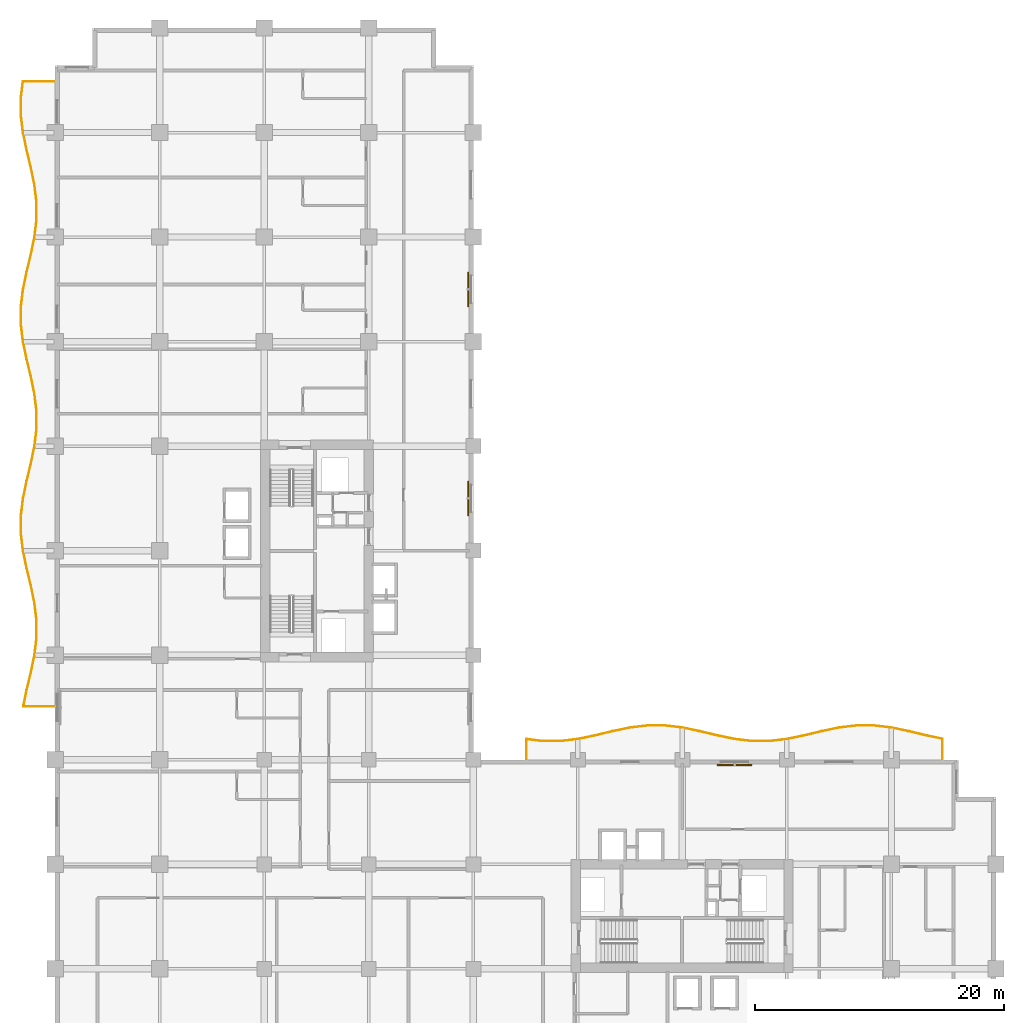
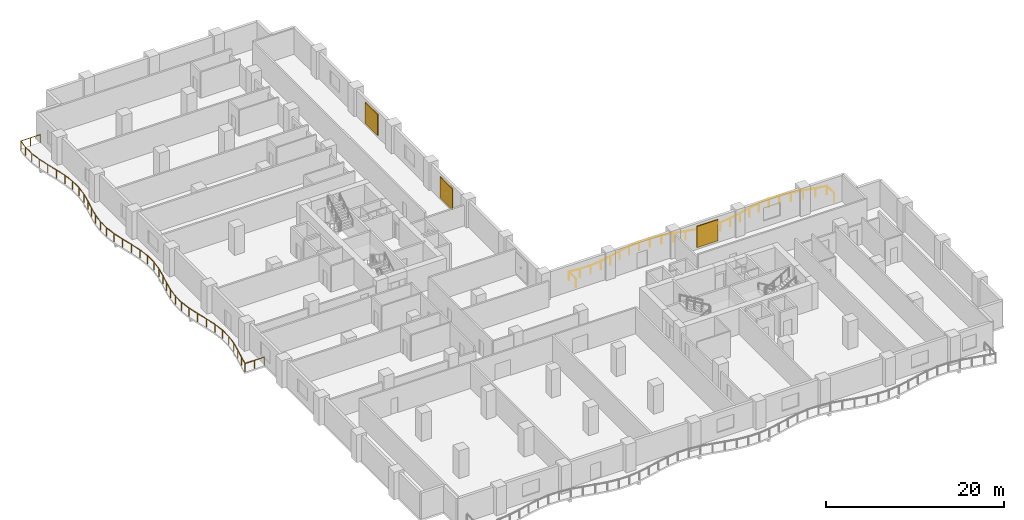
# One storey, part 18 of 18: 3 shading devices, 2 railings.
"""IFC4 building model written with IfcOpenShell, lengths in metres."""

from ifc_helpers import new_model, si_unit, direction, frame, origin, origin_2d, place, context, subcontext, project, spatial, rectangle, circle, extrude, material, layer, layer_set, type_object, element, save


model = new_model("IFC4")

# Units and contexts
model_context = context("Model", 3, precision=1e-05, world=origin(), true_north=direction((0.0, 1.0)))
body_context = subcontext(model_context, "Body", "Model", "MODEL_VIEW")
ifc_project = project(units=[si_unit("LENGTHUNIT", "METRE"), si_unit("AREAUNIT", "SQUARE_METRE"), si_unit("VOLUMEUNIT", "CUBIC_METRE"), si_unit("PLANEANGLEUNIT", "RADIAN"), si_unit("MASSUNIT", "GRAM", prefix="KILO")], contexts=[model_context])

# Site, building, storey
site_placement = place(None, origin())
site = spatial("IfcSite", under=ifc_project, at=site_placement, CompositionType="ELEMENT")
building_placement = place(site_placement, origin())
building = spatial("IfcBuilding", under=site, at=building_placement, Name="Koriwani Terraces Tower", CompositionType="ELEMENT")
storey_placement = place(building_placement, frame((0.0, 0.0, 145.60009765625)))
storey = spatial("IfcBuildingStorey", under=building, at=storey_placement, Name="L35", CompositionType="ELEMENT", Elevation=145.60009765625)

# Railings
ifc_material_1 = material(Name="Steel ASTM A572 Grade 50", Category="steel")
railing_type = type_object("IfcRailingType", Name="GUARD_BALUSTRADE_1150", PredefinedType="BALUSTRADE", material=ifc_material_1)
railing_1_placement = place(storey_placement, frame((-0.080078125, 37.8798828125, 0.0)))
element("IfcRailing", 1, at=railing_1_placement, inside=storey, type_object=railing_type, Name="L35 Balcony Perimeter Safety Balustrade (W)", PredefinedType="BALUSTRADE", context=body_context, shape_type="SweptSolid", body=[
    extrude(circle(Radius=0.02392578125, at=origin_2d()), frame((0.0, 0.0, 1.1259765625), z_axis=(-1.0, 0.0, 0.0), x_axis=(0.0, -1.0, 0.0)), (0.0, 0.0, 1.0), 2.481201171875),
    extrude(circle(Radius=0.02392578125, at=origin_2d()), frame((-2.481201171875, 0.0, 1.1259765625), z_axis=(0.203837026158, 0.979004834905, 0.0), x_axis=(-0.979004834905, 0.203837026158, 0.0)), (0.0, 0.0, 1.0), 1.33056640625),
    extrude(circle(Radius=0.02392578125, at=origin_2d()), frame((-2.2099609375, 1.302734375, 1.1259765625), z_axis=(0.233667958249, 0.972316453264, 0.0), x_axis=(-0.972316453264, 0.233667958249, 0.0)), (0.0, 0.0, 1.0), 1.439697265625),
    extrude(circle(Radius=0.02392578125, at=origin_2d()), frame((-1.87353515625, 2.70263671875, 1.1259765625), z_axis=(0.203539678581, 0.979066698056, 0.0), x_axis=(-0.979066698056, 0.203539678581, 0.0)), (0.0, 0.0, 1.0), 1.4345703125),
    extrude(circle(Radius=0.02392578125, at=origin_2d()), frame((-1.58154296875, 4.107177734375, 1.1259765625), z_axis=(0.119287758056, 0.992859723616, 0.0), x_axis=(-0.992859723616, 0.119287758056, 0.0)), (0.0, 0.0, 1.0), 1.418212890625),
    extrude(circle(Radius=0.02392578125, at=origin_2d()), frame((-1.412353515625, 5.515380859375, 1.1259765625), z_axis=(0.0, 1.0, 0.0), x_axis=(-1.0, 0.0, 0.0)), (0.0, 0.0, 1.0), 1.409423828125),
    extrude(circle(Radius=0.02392578125, at=origin_2d()), frame((-1.412353515625, 6.9248046875, 1.1259765625), z_axis=(-0.119287758056, 0.992859723616, 0.0), x_axis=(-0.992859723616, -0.119287758056, 0.0)), (0.0, 0.0, 1.0), 1.418212890625),
    extrude(circle(Radius=0.02392578125, at=origin_2d()), frame((-1.58154296875, 8.3330078125, 1.1259765625), z_axis=(-0.203539678581, 0.979066698056, 0.0), x_axis=(-0.979066698056, -0.203539678581, 0.0)), (0.0, 0.0, 1.0), 1.4345703125),
    extrude(circle(Radius=0.02392578125, at=origin_2d()), frame((-1.87353515625, 9.737548828125, 1.1259765625), z_axis=(-0.233629438166, 0.972325709638, 0.0), x_axis=(-0.972325709638, -0.233629438166, 0.0)), (0.0, 0.0, 1.0), 1.43994140625),
    extrude(circle(Radius=0.02392578125, at=origin_2d()), frame((-2.2099609375, 11.1376953125, 1.1259765625), z_axis=(-0.20385164167, 0.979001791719, 0.0), x_axis=(-0.979001791719, -0.20385164167, 0.0)), (0.0, 0.0, 1.0), 1.42529296875),
    extrude(circle(Radius=0.02392578125, at=origin_2d()), frame((-2.50048828125, 12.532958984375, 1.1259765625), z_axis=(-0.119296300234, 0.992858697273, 0.0), x_axis=(-0.992858697273, -0.119296300234, 0.0)), (0.0, 0.0, 1.0), 1.40185546875),
    extrude(circle(Radius=0.02392578125, at=origin_2d()), frame((-2.667724609375, 13.9248046875, 1.1259765625), z_axis=(0.0, 1.0, 0.0), x_axis=(-1.0, 0.0, 0.0)), (0.0, 0.0, 1.0), 1.390625),
    extrude(circle(Radius=0.02392578125, at=origin_2d()), frame((-2.667724609375, 15.3154296875, 1.1259765625), z_axis=(0.119296300234, 0.992858697273, 0.0), x_axis=(-0.992858697273, 0.119296300234, 0.0)), (0.0, 0.0, 1.0), 1.40185546875),
    extrude(circle(Radius=0.02392578125, at=origin_2d()), frame((-2.50048828125, 16.707275390625, 1.1259765625), z_axis=(0.20385164167, 0.979001791719, 0.0), x_axis=(-0.979001791719, 0.20385164167, 0.0)), (0.0, 0.0, 1.0), 1.42529296875),
    extrude(circle(Radius=0.02392578125, at=origin_2d()), frame((-2.2099609375, 18.1025390625, 1.1259765625), z_axis=(0.233629438166, 0.972325709638, 0.0), x_axis=(-0.972325709638, 0.233629438166, 0.0)), (0.0, 0.0, 1.0), 1.43994140625),
    extrude(circle(Radius=0.02392578125, at=origin_2d()), frame((-1.87353515625, 19.502685546875, 1.1259765625), z_axis=(0.203539678581, 0.979066698056, 0.0), x_axis=(-0.979066698056, 0.203539678581, 0.0)), (0.0, 0.0, 1.0), 1.4345703125),
    extrude(circle(Radius=0.02392578125, at=origin_2d()), frame((-1.58154296875, 20.9072265625, 1.1259765625), z_axis=(0.119287758056, 0.992859723616, 0.0), x_axis=(-0.992859723616, 0.119287758056, 0.0)), (0.0, 0.0, 1.0), 1.418212890625),
    extrude(circle(Radius=0.02392578125, at=origin_2d()), frame((-1.412353515625, 22.3154296875, 1.1259765625), z_axis=(0.0, 1.0, 0.0), x_axis=(-1.0, 0.0, 0.0)), (0.0, 0.0, 1.0), 1.409423828125),
    extrude(circle(Radius=0.02392578125, at=origin_2d()), frame((-1.412353515625, 23.724853515625, 1.1259765625), z_axis=(-0.119287758056, 0.992859723616, 0.0), x_axis=(-0.992859723616, -0.119287758056, 0.0)), (0.0, 0.0, 1.0), 1.418212890625),
    extrude(circle(Radius=0.02392578125, at=origin_2d()), frame((-1.58154296875, 25.133056640625, 1.1259765625), z_axis=(-0.203539678581, 0.979066698056, 0.0), x_axis=(-0.979066698056, -0.203539678581, 0.0)), (0.0, 0.0, 1.0), 1.4345703125),
    extrude(circle(Radius=0.02392578125, at=origin_2d()), frame((-1.87353515625, 26.53759765625, 1.1259765625), z_axis=(-0.233667958249, 0.972316453264, 0.0), x_axis=(-0.972316453264, -0.233667958249, 0.0)), (0.0, 0.0, 1.0), 1.439697265625),
    extrude(circle(Radius=0.02392578125, at=origin_2d()), frame((-2.2099609375, 27.9375, 1.1259765625), z_axis=(-0.203817459967, 0.979008908546, 0.0), x_axis=(-0.979008908546, -0.203817459967, 0.0)), (0.0, 0.0, 1.0), 1.425537109375),
    extrude(circle(Radius=0.02392578125, at=origin_2d()), frame((-2.50048828125, 29.3330078125, 1.1259765625), z_axis=(-0.119296300234, 0.992858697273, 0.0), x_axis=(-0.992858697273, -0.119296300234, 0.0)), (0.0, 0.0, 1.0), 1.40185546875),
    extrude(circle(Radius=0.02392578125, at=origin_2d()), frame((-2.667724609375, 30.724853515625, 1.1259765625), z_axis=(0.0, 1.0, 0.0), x_axis=(-1.0, 0.0, 0.0)), (0.0, 0.0, 1.0), 1.390380859375),
    extrude(circle(Radius=0.02392578125, at=origin_2d()), frame((-2.667724609375, 32.115234375, 1.1259765625), z_axis=(0.119275676073, 0.992861175138, 0.0), x_axis=(-0.992861175138, 0.119275676073, 0.0)), (0.0, 0.0, 1.0), 1.402099609375),
    extrude(circle(Radius=0.02392578125, at=origin_2d()), frame((-2.50048828125, 33.50732421875, 1.1259765625), z_axis=(0.20385164167, 0.979001791719, 0.0), x_axis=(-0.979001791719, 0.20385164167, 0.0)), (0.0, 0.0, 1.0), 1.42529296875),
    extrude(circle(Radius=0.02392578125, at=origin_2d()), frame((-2.2099609375, 34.902587890625, 1.1259765625), z_axis=(0.233629438166, 0.972325709638, 0.0), x_axis=(-0.972325709638, 0.233629438166, 0.0)), (0.0, 0.0, 1.0), 1.43994140625),
    extrude(circle(Radius=0.02392578125, at=origin_2d()), frame((-1.87353515625, 36.302734375, 1.1259765625), z_axis=(0.203539678581, 0.979066698056, 0.0), x_axis=(-0.979066698056, 0.203539678581, 0.0)), (0.0, 0.0, 1.0), 1.4345703125),
    extrude(circle(Radius=0.02392578125, at=origin_2d()), frame((-1.58154296875, 37.707275390625, 1.1259765625), z_axis=(0.119308148191, 0.992857273618, 0.0), x_axis=(-0.992857273618, 0.119308148191, 0.0)), (0.0, 0.0, 1.0), 1.41796875),
    extrude(circle(Radius=0.02392578125, at=origin_2d()), frame((-1.412353515625, 39.115234375, 1.1259765625), z_axis=(0.0, 1.0, 0.0), x_axis=(-1.0, 0.0, 0.0)), (0.0, 0.0, 1.0), 1.40966796875),
    extrude(circle(Radius=0.02392578125, at=origin_2d()), frame((-1.412353515625, 40.52490234375, 1.1259765625), z_axis=(-0.119287758056, 0.992859723616, 0.0), x_axis=(-0.992859723616, -0.119287758056, 0.0)), (0.0, 0.0, 1.0), 1.418212890625),
    extrude(circle(Radius=0.02392578125, at=origin_2d()), frame((-1.58154296875, 41.93310546875, 1.1259765625), z_axis=(-0.203539678581, 0.979066698056, 0.0), x_axis=(-0.979066698056, -0.203539678581, 0.0)), (0.0, 0.0, 1.0), 1.4345703125),
    extrude(circle(Radius=0.02392578125, at=origin_2d()), frame((-1.87353515625, 43.337646484375, 1.1259765625), z_axis=(-0.233667958249, 0.972316453264, 0.0), x_axis=(-0.972316453264, -0.233667958249, 0.0)), (0.0, 0.0, 1.0), 1.439697265625),
    extrude(circle(Radius=0.02392578125, at=origin_2d()), frame((-2.2099609375, 44.737548828125, 1.1259765625), z_axis=(-0.203817459967, 0.979008908546, 0.0), x_axis=(-0.979008908546, -0.203817459967, 0.0)), (0.0, 0.0, 1.0), 1.425537109375),
    extrude(circle(Radius=0.02392578125, at=origin_2d()), frame((-2.50048828125, 46.133056640625, 1.1259765625), z_axis=(-0.119296300234, 0.992858697273, 0.0), x_axis=(-0.992858697273, -0.119296300234, 0.0)), (0.0, 0.0, 1.0), 1.40185546875),
    extrude(circle(Radius=0.02392578125, at=origin_2d()), frame((-2.667724609375, 47.52490234375, 1.1259765625), z_axis=(0.0, 1.0, 0.0), x_axis=(-1.0, 0.0, 0.0)), (0.0, 0.0, 1.0), 1.390380859375),
    extrude(circle(Radius=0.02392578125, at=origin_2d()), frame((-2.667724609375, 48.915283203125, 1.1259765625), z_axis=(0.119282286421, 0.992860380993, 0.0), x_axis=(-0.992860380993, 0.119282286421, 0.0)), (0.0, 0.0, 1.0), 1.33447265625),
    extrude(circle(Radius=0.02392578125, at=origin_2d()), frame((-2.508544921875, 50.240234375, 1.1259765625), z_axis=(1.0, 0.0, 0.0), x_axis=(0.0, 1.0, 0.0)), (0.0, 0.0, 1.0), 2.508544921875),
    extrude(circle(Radius=0.02099609375, at=origin_2d()), origin(), (0.0, 0.0, 1.0), 1.101806640625),
    extrude(circle(Radius=0.02099609375, at=origin_2d()), frame((-1.24072265625, 0.0, 0.0)), (0.0, 0.0, 1.0), 1.101806640625),
    extrude(circle(Radius=0.02099609375, at=origin_2d()), frame((-2.481201171875, 0.0, 0.0)), (0.0, 0.0, 1.0), 1.101806640625),
    extrude(circle(Radius=0.02099609375, at=origin_2d()), frame((-2.2099609375, 1.302734375, 0.0)), (0.0, 0.0, 1.0), 1.101806640625),
    extrude(circle(Radius=0.02099609375, at=origin_2d()), frame((-1.87353515625, 2.70263671875, 0.0)), (0.0, 0.0, 1.0), 1.101806640625),
    extrude(circle(Radius=0.02099609375, at=origin_2d()), frame((-1.58154296875, 4.107177734375, 0.0)), (0.0, 0.0, 1.0), 1.101806640625),
    extrude(circle(Radius=0.02099609375, at=origin_2d()), frame((-1.412353515625, 5.515380859375, 0.0)), (0.0, 0.0, 1.0), 1.101806640625),
    extrude(circle(Radius=0.02099609375, at=origin_2d()), frame((-1.412353515625, 6.9248046875, 0.0)), (0.0, 0.0, 1.0), 1.101806640625),
    extrude(circle(Radius=0.02099609375, at=origin_2d()), frame((-1.58154296875, 8.3330078125, 0.0)), (0.0, 0.0, 1.0), 1.101806640625),
    extrude(circle(Radius=0.02099609375, at=origin_2d()), frame((-1.87353515625, 9.737548828125, 0.0)), (0.0, 0.0, 1.0), 1.101806640625),
    extrude(circle(Radius=0.02099609375, at=origin_2d()), frame((-2.2099609375, 11.1376953125, 0.0)), (0.0, 0.0, 1.0), 1.101806640625),
    extrude(circle(Radius=0.02099609375, at=origin_2d()), frame((-2.50048828125, 12.532958984375, 0.0)), (0.0, 0.0, 1.0), 1.101806640625),
    extrude(circle(Radius=0.02099609375, at=origin_2d()), frame((-2.667724609375, 13.9248046875, 0.0)), (0.0, 0.0, 1.0), 1.101806640625),
    extrude(circle(Radius=0.02099609375, at=origin_2d()), frame((-2.667724609375, 15.3154296875, 0.0)), (0.0, 0.0, 1.0), 1.101806640625),
    extrude(circle(Radius=0.02099609375, at=origin_2d()), frame((-2.50048828125, 16.707275390625, 0.0)), (0.0, 0.0, 1.0), 1.101806640625),
    extrude(circle(Radius=0.02099609375, at=origin_2d()), frame((-2.2099609375, 18.1025390625, 0.0)), (0.0, 0.0, 1.0), 1.101806640625),
    extrude(circle(Radius=0.02099609375, at=origin_2d()), frame((-1.87353515625, 19.502685546875, 0.0)), (0.0, 0.0, 1.0), 1.101806640625),
    extrude(circle(Radius=0.02099609375, at=origin_2d()), frame((-1.58154296875, 20.9072265625, 0.0)), (0.0, 0.0, 1.0), 1.101806640625),
    extrude(circle(Radius=0.02099609375, at=origin_2d()), frame((-1.412353515625, 22.3154296875, 0.0)), (0.0, 0.0, 1.0), 1.101806640625),
    extrude(circle(Radius=0.02099609375, at=origin_2d()), frame((-1.412353515625, 23.724853515625, 0.0)), (0.0, 0.0, 1.0), 1.101806640625),
    extrude(circle(Radius=0.02099609375, at=origin_2d()), frame((-1.58154296875, 25.133056640625, 0.0)), (0.0, 0.0, 1.0), 1.101806640625),
    extrude(circle(Radius=0.02099609375, at=origin_2d()), frame((-1.87353515625, 26.53759765625, 0.0)), (0.0, 0.0, 1.0), 1.101806640625),
    extrude(circle(Radius=0.02099609375, at=origin_2d()), frame((-2.2099609375, 27.9375, 0.0)), (0.0, 0.0, 1.0), 1.101806640625),
    extrude(circle(Radius=0.02099609375, at=origin_2d()), frame((-2.50048828125, 29.3330078125, 0.0)), (0.0, 0.0, 1.0), 1.101806640625),
    extrude(circle(Radius=0.02099609375, at=origin_2d()), frame((-2.667724609375, 30.724853515625, 0.0)), (0.0, 0.0, 1.0), 1.101806640625),
    extrude(circle(Radius=0.02099609375, at=origin_2d()), frame((-2.667724609375, 32.115234375, 0.0)), (0.0, 0.0, 1.0), 1.101806640625),
    extrude(circle(Radius=0.02099609375, at=origin_2d()), frame((-2.50048828125, 33.50732421875, 0.0)), (0.0, 0.0, 1.0), 1.101806640625),
    extrude(circle(Radius=0.02099609375, at=origin_2d()), frame((-2.2099609375, 34.902587890625, 0.0)), (0.0, 0.0, 1.0), 1.101806640625),
    extrude(circle(Radius=0.02099609375, at=origin_2d()), frame((-1.87353515625, 36.302734375, 0.0)), (0.0, 0.0, 1.0), 1.101806640625),
    extrude(circle(Radius=0.02099609375, at=origin_2d()), frame((-1.58154296875, 37.707275390625, 0.0)), (0.0, 0.0, 1.0), 1.101806640625),
    extrude(circle(Radius=0.02099609375, at=origin_2d()), frame((-1.412353515625, 39.115234375, 0.0)), (0.0, 0.0, 1.0), 1.101806640625),
    extrude(circle(Radius=0.02099609375, at=origin_2d()), frame((-1.412353515625, 40.52490234375, 0.0)), (0.0, 0.0, 1.0), 1.101806640625),
    extrude(circle(Radius=0.02099609375, at=origin_2d()), frame((-1.58154296875, 41.93310546875, 0.0)), (0.0, 0.0, 1.0), 1.101806640625),
    extrude(circle(Radius=0.02099609375, at=origin_2d()), frame((-1.87353515625, 43.337646484375, 0.0)), (0.0, 0.0, 1.0), 1.101806640625),
    extrude(circle(Radius=0.02099609375, at=origin_2d()), frame((-2.2099609375, 44.737548828125, 0.0)), (0.0, 0.0, 1.0), 1.101806640625),
    extrude(circle(Radius=0.02099609375, at=origin_2d()), frame((-2.50048828125, 46.133056640625, 0.0)), (0.0, 0.0, 1.0), 1.101806640625),
    extrude(circle(Radius=0.02099609375, at=origin_2d()), frame((-2.667724609375, 47.52490234375, 0.0)), (0.0, 0.0, 1.0), 1.101806640625),
    extrude(circle(Radius=0.02099609375, at=origin_2d()), frame((-2.667724609375, 48.915283203125, 0.0)), (0.0, 0.0, 1.0), 1.101806640625),
    extrude(circle(Radius=0.02099609375, at=origin_2d()), frame((-2.508544921875, 50.240234375, 0.0)), (0.0, 0.0, 1.0), 1.101806640625),
    extrude(circle(Radius=0.02099609375, at=origin_2d()), frame((-1.25439453125, 50.240234375, 0.0)), (0.0, 0.0, 1.0), 1.101806640625),
    extrude(circle(Radius=0.02099609375, at=origin_2d()), frame((0.0, 50.240234375, 0.0)), (0.0, 0.0, 1.0), 1.101806640625),
])
railing_2_placement = place(storey_placement, frame((71.320068359375, 33.679931640625, 0.0)))
element("IfcRailing", 2, at=railing_2_placement, inside=storey, type_object=railing_type, Name="L35 Balcony Perimeter Safety Balustrade (NE)", PredefinedType="BALUSTRADE", context=body_context, shape_type="SweptSolid", body=[
    extrude(circle(Radius=0.02392578125, at=origin_2d()), frame((0.0, 0.0, 1.1259765625), z_axis=(0.0, 1.0, 0.0), x_axis=(-1.0, 0.0, 0.0)), (0.0, 0.0, 1.0), 1.595458984375),
    extrude(circle(Radius=0.02392578125, at=origin_2d()), frame((0.0, 1.595458984375, 1.1259765625), z_axis=(-0.979032418543, 0.203704500299, 0.0), x_axis=(-0.203704500299, -0.979032418543, 0.0)), (0.0, 0.0, 1.0), 1.3662109375),
    extrude(circle(Radius=0.02392578125, at=origin_2d()), frame((-1.337646484375, 1.873779296875, 1.1259765625), z_axis=(-0.972316453264, 0.233667958249, 0.0), x_axis=(-0.233667958249, -0.972316453264, 0.0)), (0.0, 0.0, 1.0), 1.439697265625),
    extrude(circle(Radius=0.02392578125, at=origin_2d()), frame((-2.737548828125, 2.210205078125, 1.1259765625), z_axis=(-0.979008908546, 0.203817459967, 0.0), x_axis=(-0.203817459967, -0.979008908546, 0.0)), (0.0, 0.0, 1.0), 1.425537109375),
    extrude(circle(Radius=0.02392578125, at=origin_2d()), frame((-4.133056640625, 2.500732421875, 1.1259765625), z_axis=(-0.992858697273, 0.119296300234, 0.0), x_axis=(-0.119296300234, -0.992858697273, 0.0)), (0.0, 0.0, 1.0), 1.40185546875),
    extrude(circle(Radius=0.02392578125, at=origin_2d()), frame((-5.52490234375, 2.66796875, 1.1259765625), z_axis=(-1.0, 0.0, 0.0), x_axis=(0.0, -1.0, 0.0)), (0.0, 0.0, 1.0), 1.390380859375),
    extrude(circle(Radius=0.02392578125, at=origin_2d()), frame((-6.915283203125, 2.66796875, 1.1259765625), z_axis=(-0.992858697273, -0.119296300234, 0.0), x_axis=(0.119296300234, -0.992858697273, 0.0)), (0.0, 0.0, 1.0), 1.40185546875),
    extrude(circle(Radius=0.02392578125, at=origin_2d()), frame((-8.30712890625, 2.500732421875, 1.1259765625), z_axis=(-0.979008908546, -0.203817459967, 0.0), x_axis=(0.203817459967, -0.979008908546, 0.0)), (0.0, 0.0, 1.0), 1.425537109375),
    extrude(circle(Radius=0.02392578125, at=origin_2d()), frame((-9.70263671875, 2.210205078125, 1.1259765625), z_axis=(-0.972316453264, -0.233667958249, 0.0), x_axis=(0.233667958249, -0.972316453264, 0.0)), (0.0, 0.0, 1.0), 1.439697265625),
    extrude(circle(Radius=0.02392578125, at=origin_2d()), frame((-11.1025390625, 1.873779296875, 1.1259765625), z_axis=(-0.979032771622, -0.203702803343, 0.0), x_axis=(0.203702803343, -0.979032771622, 0.0)), (0.0, 0.0, 1.0), 1.4345703125),
    extrude(circle(Radius=0.02392578125, at=origin_2d()), frame((-12.507080078125, 1.58154296875, 1.1259765625), z_axis=(-0.992859723616, -0.119287758056, 0.0), x_axis=(0.119287758056, -0.992859723616, 0.0)), (0.0, 0.0, 1.0), 1.418212890625),
    extrude(circle(Radius=0.02392578125, at=origin_2d()), frame((-13.915283203125, 1.412353515625, 1.1259765625), z_axis=(-1.0, 0.0, 0.0), x_axis=(0.0, -1.0, 0.0)), (0.0, 0.0, 1.0), 1.40966796875),
    extrude(circle(Radius=0.02392578125, at=origin_2d()), frame((-15.324951171875, 1.412353515625, 1.1259765625), z_axis=(-0.992857273618, 0.119308148191, 0.0), x_axis=(-0.119308148191, -0.992857273618, 0.0)), (0.0, 0.0, 1.0), 1.41796875),
    extrude(circle(Radius=0.02392578125, at=origin_2d()), frame((-16.73291015625, 1.58154296875, 1.1259765625), z_axis=(-0.979032771622, 0.203702803343, 0.0), x_axis=(-0.203702803343, -0.979032771622, 0.0)), (0.0, 0.0, 1.0), 1.4345703125),
    extrude(circle(Radius=0.02392578125, at=origin_2d()), frame((-18.137451171875, 1.873779296875, 1.1259765625), z_axis=(-0.972325709638, 0.233629438166, 0.0), x_axis=(-0.233629438166, -0.972325709638, 0.0)), (0.0, 0.0, 1.0), 1.43994140625),
    extrude(circle(Radius=0.02392578125, at=origin_2d()), frame((-19.53759765625, 2.210205078125, 1.1259765625), z_axis=(-0.979001791719, 0.20385164167, 0.0), x_axis=(-0.20385164167, -0.979001791719, 0.0)), (0.0, 0.0, 1.0), 1.42529296875),
    extrude(circle(Radius=0.02392578125, at=origin_2d()), frame((-20.932861328125, 2.500732421875, 1.1259765625), z_axis=(-0.992861175138, 0.119275676073, 0.0), x_axis=(-0.119275676073, -0.992861175138, 0.0)), (0.0, 0.0, 1.0), 1.402099609375),
    extrude(circle(Radius=0.02392578125, at=origin_2d()), frame((-22.324951171875, 2.66796875, 1.1259765625), z_axis=(-1.0, 0.0, 0.0), x_axis=(0.0, -1.0, 0.0)), (0.0, 0.0, 1.0), 1.390380859375),
    extrude(circle(Radius=0.02392578125, at=origin_2d()), frame((-23.71533203125, 2.66796875, 1.1259765625), z_axis=(-0.992858697273, -0.119296300234, 0.0), x_axis=(0.119296300234, -0.992858697273, 0.0)), (0.0, 0.0, 1.0), 1.40185546875),
    extrude(circle(Radius=0.02392578125, at=origin_2d()), frame((-25.107177734375, 2.500732421875, 1.1259765625), z_axis=(-0.979008908546, -0.203817459967, 0.0), x_axis=(0.203817459967, -0.979008908546, 0.0)), (0.0, 0.0, 1.0), 1.425537109375),
    extrude(circle(Radius=0.02392578125, at=origin_2d()), frame((-26.502685546875, 2.210205078125, 1.1259765625), z_axis=(-0.972316453264, -0.233667958249, 0.0), x_axis=(0.233667958249, -0.972316453264, 0.0)), (0.0, 0.0, 1.0), 1.439697265625),
    extrude(circle(Radius=0.02392578125, at=origin_2d()), frame((-27.902587890625, 1.873779296875, 1.1259765625), z_axis=(-0.979032771622, -0.203702803343, 0.0), x_axis=(0.203702803343, -0.979032771622, 0.0)), (0.0, 0.0, 1.0), 1.4345703125),
    extrude(circle(Radius=0.02392578125, at=origin_2d()), frame((-29.30712890625, 1.58154296875, 1.1259765625), z_axis=(-0.992859723616, -0.119287758056, 0.0), x_axis=(0.119287758056, -0.992859723616, 0.0)), (0.0, 0.0, 1.0), 1.418212890625),
    extrude(circle(Radius=0.02392578125, at=origin_2d()), frame((-30.71533203125, 1.412353515625, 1.1259765625), z_axis=(-1.0, 0.0, 0.0), x_axis=(0.0, -1.0, 0.0)), (0.0, 0.0, 1.0), 1.409423828125),
    extrude(circle(Radius=0.02392578125, at=origin_2d()), frame((-32.124755859375, 1.412353515625, 1.1259765625), z_axis=(-0.992867243731, 0.11922514972, 0.0), x_axis=(-0.11922514972, -0.992867243731, 0.0)), (0.0, 0.0, 1.0), 1.324951171875),
    extrude(circle(Radius=0.02392578125, at=origin_2d()), frame((-33.440185546875, 1.5703125, 1.1259765625), z_axis=(0.0, -1.0, 0.0), x_axis=(1.0, 0.0, 0.0)), (0.0, 0.0, 1.0), 1.5703125),
    extrude(circle(Radius=0.02099609375, at=origin_2d()), origin(), (0.0, 0.0, 1.0), 1.101806640625),
    extrude(circle(Radius=0.02099609375, at=origin_2d()), frame((0.0, 1.595458984375, 0.0)), (0.0, 0.0, 1.0), 1.101806640625),
    extrude(circle(Radius=0.02099609375, at=origin_2d()), frame((-1.337646484375, 1.873779296875, 0.0)), (0.0, 0.0, 1.0), 1.101806640625),
    extrude(circle(Radius=0.02099609375, at=origin_2d()), frame((-2.737548828125, 2.210205078125, 0.0)), (0.0, 0.0, 1.0), 1.101806640625),
    extrude(circle(Radius=0.02099609375, at=origin_2d()), frame((-4.133056640625, 2.500732421875, 0.0)), (0.0, 0.0, 1.0), 1.101806640625),
    extrude(circle(Radius=0.02099609375, at=origin_2d()), frame((-5.52490234375, 2.66796875, 0.0)), (0.0, 0.0, 1.0), 1.101806640625),
    extrude(circle(Radius=0.02099609375, at=origin_2d()), frame((-6.915283203125, 2.66796875, 0.0)), (0.0, 0.0, 1.0), 1.101806640625),
    extrude(circle(Radius=0.02099609375, at=origin_2d()), frame((-8.30712890625, 2.500732421875, 0.0)), (0.0, 0.0, 1.0), 1.101806640625),
    extrude(circle(Radius=0.02099609375, at=origin_2d()), frame((-9.70263671875, 2.210205078125, 0.0)), (0.0, 0.0, 1.0), 1.101806640625),
    extrude(circle(Radius=0.02099609375, at=origin_2d()), frame((-11.1025390625, 1.873779296875, 0.0)), (0.0, 0.0, 1.0), 1.101806640625),
    extrude(circle(Radius=0.02099609375, at=origin_2d()), frame((-12.507080078125, 1.58154296875, 0.0)), (0.0, 0.0, 1.0), 1.101806640625),
    extrude(circle(Radius=0.02099609375, at=origin_2d()), frame((-13.915283203125, 1.412353515625, 0.0)), (0.0, 0.0, 1.0), 1.101806640625),
    extrude(circle(Radius=0.02099609375, at=origin_2d()), frame((-15.324951171875, 1.412353515625, 0.0)), (0.0, 0.0, 1.0), 1.101806640625),
    extrude(circle(Radius=0.02099609375, at=origin_2d()), frame((-16.73291015625, 1.58154296875, 0.0)), (0.0, 0.0, 1.0), 1.101806640625),
    extrude(circle(Radius=0.02099609375, at=origin_2d()), frame((-18.137451171875, 1.873779296875, 0.0)), (0.0, 0.0, 1.0), 1.101806640625),
    extrude(circle(Radius=0.02099609375, at=origin_2d()), frame((-19.53759765625, 2.210205078125, 0.0)), (0.0, 0.0, 1.0), 1.101806640625),
    extrude(circle(Radius=0.02099609375, at=origin_2d()), frame((-20.932861328125, 2.500732421875, 0.0)), (0.0, 0.0, 1.0), 1.101806640625),
    extrude(circle(Radius=0.02099609375, at=origin_2d()), frame((-22.324951171875, 2.66796875, 0.0)), (0.0, 0.0, 1.0), 1.101806640625),
    extrude(circle(Radius=0.02099609375, at=origin_2d()), frame((-23.71533203125, 2.66796875, 0.0)), (0.0, 0.0, 1.0), 1.101806640625),
    extrude(circle(Radius=0.02099609375, at=origin_2d()), frame((-25.107177734375, 2.500732421875, 0.0)), (0.0, 0.0, 1.0), 1.101806640625),
    extrude(circle(Radius=0.02099609375, at=origin_2d()), frame((-26.502685546875, 2.210205078125, 0.0)), (0.0, 0.0, 1.0), 1.101806640625),
    extrude(circle(Radius=0.02099609375, at=origin_2d()), frame((-27.902587890625, 1.873779296875, 0.0)), (0.0, 0.0, 1.0), 1.101806640625),
    extrude(circle(Radius=0.02099609375, at=origin_2d()), frame((-29.30712890625, 1.58154296875, 0.0)), (0.0, 0.0, 1.0), 1.101806640625),
    extrude(circle(Radius=0.02099609375, at=origin_2d()), frame((-30.71533203125, 1.412353515625, 0.0)), (0.0, 0.0, 1.0), 1.101806640625),
    extrude(circle(Radius=0.02099609375, at=origin_2d()), frame((-32.124755859375, 1.412353515625, 0.0)), (0.0, 0.0, 1.0), 1.101806640625),
    extrude(circle(Radius=0.02099609375, at=origin_2d()), frame((-33.440185546875, 1.5703125, 0.0)), (0.0, 0.0, 1.0), 1.101806640625),
    extrude(circle(Radius=0.02099609375, at=origin_2d()), frame((-33.440185546875, 0.0, 0.0)), (0.0, 0.0, 1.0), 1.101806640625),
])

# Shading devices
ifc_material_2 = material(Name="Extruded Terracotta Clay", Category="masonry")
ifc_layer = layer(ifc_material_2, 0.1201171875, Name="Extruded Terracotta Clay")
ifc_layer_set = layer_set([ifc_layer], Name="Extruded Terracotta Clay")
shading_device_type = type_object("IfcShadingDeviceType", Name="TERRACOTTA_BAGUETTE_SCREEN_2800", PredefinedType="USERDEFINED", material=ifc_layer_set)
for number, where, z_axis, x_axis, name in (
    (3, (33.195068359375, 54.60009765625, 0.324951171875), (0.0, 0.0, 1.0), (0.0, -1.0, 0.0), "L35 Extruded Terracotta Baguette Screen (NW_IN-8)"),
    (4, (33.195068359375, 71.39990234375, 0.324951171875), (0.0, 0.0, 1.0), (0.0, -1.0, 0.0), "L35 Extruded Terracotta Baguette Screen (NW_IN-14)"),
    (5, (54.60009765625, 33.195068359375, 0.324951171875), (0.0, 0.0, 1.0), (1.0, 0.0, 0.0), "L35 Extruded Terracotta Baguette Screen (NE-8)"),
):
    element("IfcShadingDevice", number, at=place(storey_placement, frame(where, z_axis=z_axis, x_axis=x_axis)), inside=storey, type_object=shading_device_type, Name=name, ObjectType="BAGUETTE", PredefinedType="USERDEFINED", context=body_context, shape_type="SweptSolid", body=[
        extrude(rectangle(XDim=2.760009765625, YDim=0.1201171875, at=origin_2d()), origin(), (0.0, 0.0, 1.0), 2.89990234375),
    ])

save(model, "model.ifc")
